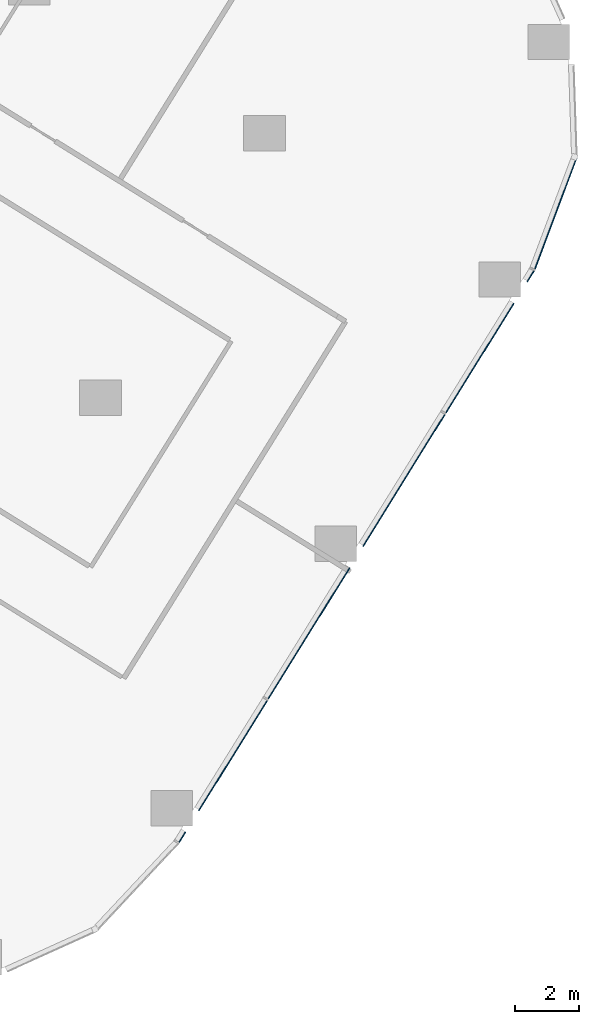
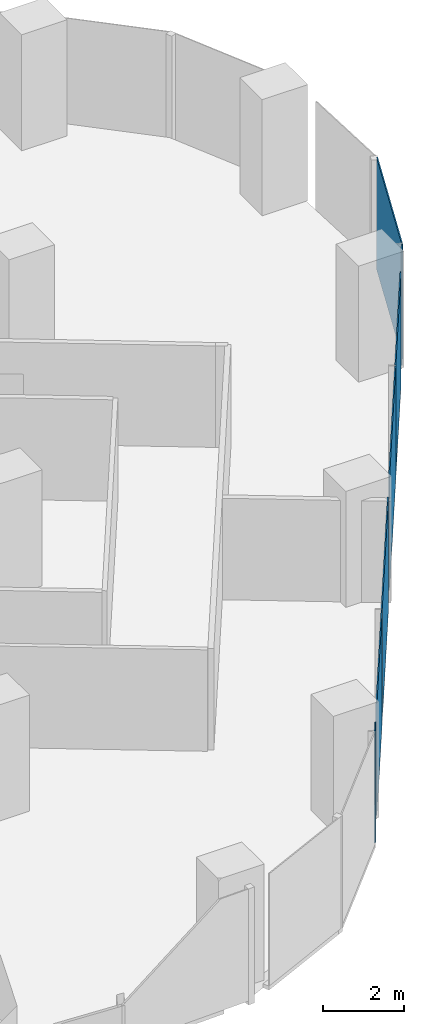
# One storey, part 22 of 34: 7 plates, 2 elements without a shape of their own.
"""IFC4 building model written with IfcOpenShell, lengths in metres."""

from ifc_helpers import new_model, si_unit, direction, frame, origin, origin_2d, place, context, subcontext, project, spatial, rectangle, extrude, material, layer, layer_set, type_object, element, aggregate, save


model = new_model("IFC4")

# Units and contexts
model_context = context("Model", 3, precision=1e-05, world=origin(), true_north=direction((0.0, 1.0)))
body_context = subcontext(model_context, "Body", "Model", "MODEL_VIEW")
ifc_project = project(units=[si_unit("LENGTHUNIT", "METRE"), si_unit("AREAUNIT", "SQUARE_METRE"), si_unit("VOLUMEUNIT", "CUBIC_METRE"), si_unit("PLANEANGLEUNIT", "RADIAN"), si_unit("MASSUNIT", "GRAM", prefix="KILO")], contexts=[model_context])

# Site, building, storey
site_placement = place(None, origin())
site = spatial("IfcSite", under=ifc_project, at=site_placement, CompositionType="ELEMENT")
building_placement = place(site_placement, origin())
building = spatial("IfcBuilding", under=site, at=building_placement, Name="Orlundy Tower", CompositionType="ELEMENT")
storey_placement = place(building_placement, frame((0.0, 0.0, 40.800048828125)))
storey = spatial("IfcBuildingStorey", under=building, at=storey_placement, Name="L08", CompositionType="ELEMENT", Elevation=40.800048828125)

# Curtain wall, plate
ifc_material_1 = material(Name="Aluminium bronze anodised", Category="aluminium")
curtain_wall_type = type_object("IfcCurtainWallType", Name="CW1 wall", PredefinedType="NOTDEFINED", material=ifc_material_1)
curtain_wall_1_placement = place(storey_placement, origin())
curtain_wall_1 = element("IfcCurtainWall", 1, at=curtain_wall_1_placement, inside=storey, type_object=curtain_wall_type, Name="CW1 run 010", PredefinedType="NOTDEFINED")
ifc_material_2 = material(Name="Tinted glass", Category="glass")
ifc_layer = layer(ifc_material_2, 0.031982421875)
ifc_layer_set = layer_set([ifc_layer], Name="CW1 glass panel 32")
plate_type = type_object("IfcPlateType", Name="CW1 glass panel 32", PredefinedType="CURTAIN_PANEL", material=ifc_layer_set)
plate_1_placement = place(storey_placement, frame((56.9013671875, -20.76611328125, -0.300048828125), z_axis=(0.0, 0.0, 1.0), x_axis=(-0.351537332791, -0.936173864009, 0.0)))
plate_1 = element("IfcPlate", 2, at=plate_1_placement, type_object=plate_type, Name="CW1 panel", PredefinedType="CURTAIN_PANEL", context=body_context, shape_type="SweptSolid", body=[
    extrude(rectangle(XDim=3.730224609375, YDim=0.031982421875, at=origin_2d()), origin(), (0.0, 0.0, 1.0), 3.3798828125),
])
aggregate(curtain_wall_1, [plate_1])

# Curtain wall, plates
curtain_wall_2_placement = place(storey_placement, origin())
curtain_wall_2 = element("IfcCurtainWall", 3, at=curtain_wall_2_placement, inside=storey, type_object=curtain_wall_type, Name="CW1 run 011", PredefinedType="NOTDEFINED")
plate_2_placement = place(storey_placement, frame((56.115234375, -22.7314453125, -0.300048828125), z_axis=(0.0, 0.0, 1.0), x_axis=(-0.527475466848, -0.849570263059, 0.0)))
plate_2 = element("IfcPlate", 4, at=plate_2_placement, type_object=plate_type, Name="CW1 panel", PredefinedType="CURTAIN_PANEL", context=body_context, shape_type="SweptSolid", body=[
    extrude(rectangle(XDim=0.41064453125, YDim=0.031982421875, at=origin_2d()), origin(), (0.0, 0.0, 1.0), 3.3798828125),
])
plate_3_placement = place(storey_placement, frame((54.53173828125, -25.2822265625, -0.300048828125), z_axis=(0.0, 0.0, 1.0), x_axis=(-0.527475466848, -0.849570263059, 0.0)))
plate_3 = element("IfcPlate", 5, at=plate_3_placement, type_object=plate_type, Name="CW1 panel", PredefinedType="CURTAIN_PANEL", context=body_context, shape_type="SweptSolid", body=[
    extrude(rectangle(XDim=4.016845703125, YDim=0.031982421875, at=origin_2d()), origin(), (0.0, 0.0, 1.0), 3.3798828125),
])
plate_4_placement = place(storey_placement, frame((52.16845703125, -29.08837890625, -0.300048828125), z_axis=(0.0, 0.0, 1.0), x_axis=(-0.527475466848, -0.849570263059, 0.0)))
plate_4 = element("IfcPlate", 6, at=plate_4_placement, type_object=plate_type, Name="CW1 panel", PredefinedType="CURTAIN_PANEL", context=body_context, shape_type="SweptSolid", body=[
    extrude(rectangle(XDim=4.843505859375, YDim=0.031982421875, at=origin_2d()), origin(), (0.0, 0.0, 1.0), 3.3798828125),
])
plate_5_placement = place(storey_placement, frame((49.2041015625, -33.863037109375, -0.300048828125), z_axis=(0.0, 0.0, 1.0), x_axis=(-0.527475466848, -0.849570263059, 0.0)))
plate_5 = element("IfcPlate", 7, at=plate_5_placement, type_object=plate_type, Name="CW1 panel", PredefinedType="CURTAIN_PANEL", context=body_context, shape_type="SweptSolid", body=[
    extrude(rectangle(XDim=4.816650390625, YDim=0.031982421875, at=origin_2d()), origin(), (0.0, 0.0, 1.0), 3.3798828125),
])
plate_6_placement = place(storey_placement, frame((46.840576171875, -37.66943359375, -0.300048828125), z_axis=(0.0, 0.0, 1.0), x_axis=(-0.527475466848, -0.849570263059, 0.0)))
plate_6 = element("IfcPlate", 8, at=plate_6_placement, type_object=plate_type, Name="CW1 panel", PredefinedType="CURTAIN_PANEL", context=body_context, shape_type="SweptSolid", body=[
    extrude(rectangle(XDim=4.04443359375, YDim=0.031982421875, at=origin_2d()), origin(), (0.0, 0.0, 1.0), 3.3798828125),
])
plate_7_placement = place(storey_placement, frame((45.2568359375, -40.220458984375, -0.300048828125), z_axis=(0.0, 0.0, 1.0), x_axis=(-0.527475466848, -0.849570263059, 0.0)))
plate_7 = element("IfcPlate", 9, at=plate_7_placement, type_object=plate_type, Name="CW1 panel", PredefinedType="CURTAIN_PANEL", context=body_context, shape_type="SweptSolid", body=[
    extrude(rectangle(XDim=0.38232421875, YDim=0.031982421875, at=origin_2d()), origin(), (0.0, 0.0, 1.0), 3.3798828125),
])
aggregate(curtain_wall_2, [plate_2, plate_3, plate_4, plate_5, plate_6, plate_7])

save(model, "model.ifc")
